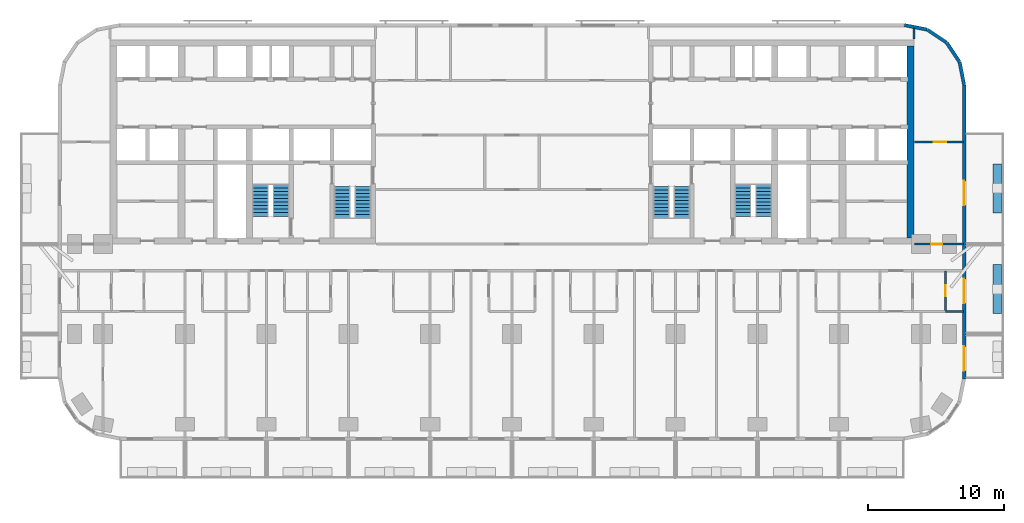
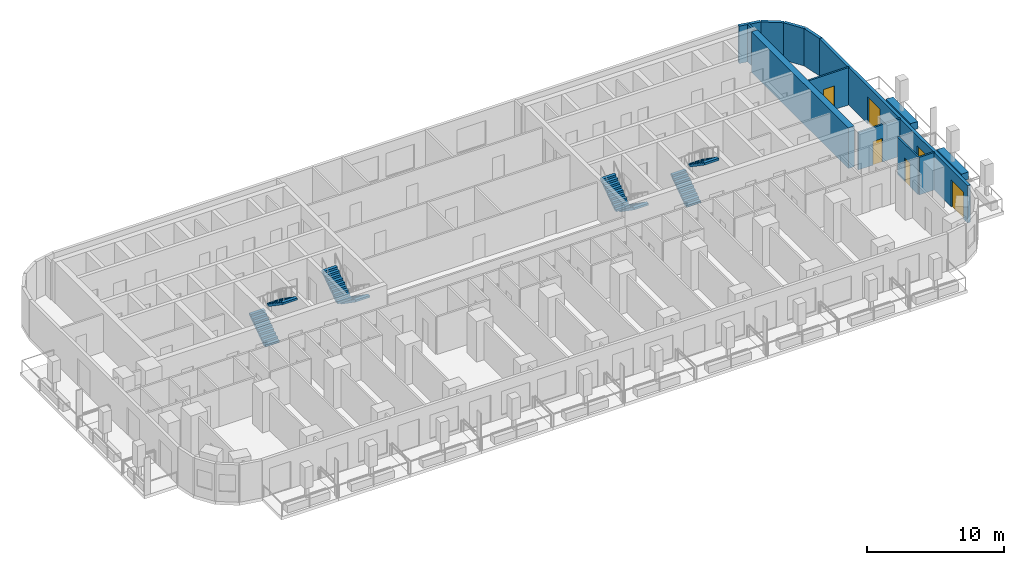
# One storey, part 10 of 15: 13 walls, 8 stair flights, 6 doors, 6 openings, 4 elements without a shape of their own.
"""IFC4 building model written with IfcOpenShell, lengths in metres."""

from ifc_helpers import new_model, si_unit, direction, frame, frame_2d, origin, place, context, subcontext, project, spatial, polyline, rectangle, outline, extrude, material, layer, layer_set, type_object, element, fill, aggregate, save


model = new_model("IFC4")

# Units and contexts
model_context = context("Model", 3, precision=1e-05, world=origin(), true_north=direction((0.0, 1.0)))
body_context = subcontext(model_context, "Body", "Model", "MODEL_VIEW")
ifc_project = project(units=[si_unit("LENGTHUNIT", "METRE"), si_unit("AREAUNIT", "SQUARE_METRE"), si_unit("VOLUMEUNIT", "CUBIC_METRE"), si_unit("PLANEANGLEUNIT", "RADIAN"), si_unit("MASSUNIT", "GRAM", prefix="KILO")], contexts=[model_context])

# Site, building, storey
site_placement = place(None, origin())
site = spatial("IfcSite", under=ifc_project, at=site_placement, CompositionType="ELEMENT")
building_placement = place(site_placement, origin())
building = spatial("IfcBuilding", under=site, at=building_placement, Name="Torana Hotel and Residences", CompositionType="ELEMENT")
storey_placement = place(building_placement, frame((0.0, 0.0, 24.0)))
storey = spatial("IfcBuildingStorey", under=building, at=storey_placement, Name="L04", CompositionType="ELEMENT", Elevation=24.0)

# Walls
ifc_material_1 = material(Name="Concrete C80/95", Category="concrete")
ifc_layer_1 = layer(ifc_material_1, 0.5)
ifc_layer_set_1 = layer_set([ifc_layer_1], Name="CORE WALL 500 C80/95")
wall_type_1 = type_object("IfcWallType", Name="CORE WALL 500 C80/95", PredefinedType="SHEAR", material=ifc_layer_set_1)
wall_1_placement = place(storey_placement, frame((29.25, -14.550048828125, 0.0), z_axis=(0.0, 0.0, 1.0), x_axis=(0.0, 1.0, 0.0)))
element("IfcWall", 1, at=wall_1_placement, inside=storey, type_object=wall_type_1, Name="Core wall E outer", PredefinedType="SHEAR", context=body_context, shape_type="SweptSolid", body=[
    extrude(rectangle(XDim=14.10009765625, YDim=0.5, at=frame_2d((7.050048828125, 0.0))), origin(), (0.0, 0.0, 1.0), 3.60009765625),
])
ifc_material_2 = material(Name="Black aluminium composite panel", Category="aluminium")
ifc_layer_2 = layer(ifc_material_2, 0.00390625, Name="Cladding", Category="cladding")
ifc_material_3 = material(Name="Ventilated air cavity")
ifc_layer_3 = layer(ifc_material_3, 0.0400390625, Name="Ventilated cavity", Category="cavity")
ifc_material_4 = material(Name="Mineral wool insulation")
ifc_layer_4 = layer(ifc_material_4, 0.090087890625, Name="Insulation", Category="insulation")
ifc_material_5 = material(Name="Steel S280GD", Category="steel")
ifc_layer_5 = layer(ifc_material_5, 0.092041015625, Name="Steel stud frame", Category="structure")
ifc_material_6 = material(Name="Fire rated plasterboard")
ifc_layer_6 = layer(ifc_material_6, 0.011962890625, Name="Inner board", Category="finish")
ifc_layer_7 = layer(ifc_material_6, 0.011962890625, Name="Second board", Category="finish")
ifc_layer_set_2 = layer_set([ifc_layer_2, ifc_layer_3, ifc_layer_4, ifc_layer_5, ifc_layer_6, ifc_layer_7], Name="EW1 EXTERNAL WALL BLACK METAL CLAD 250")
wall_type_2 = type_object("IfcWallType", Name="EW1 EXTERNAL WALL BLACK METAL CLAD 250", PredefinedType="SOLIDWALL", material=ifc_layer_set_2)
wall_2_placement = place(storey_placement, frame((33.172607421875, -3.30029296875, 0.0), z_axis=(0.0, 0.0, 1.0), x_axis=(-0.19513878023, 0.980775640221, 0.0)))
element("IfcWall", 2, at=wall_2_placement, inside=storey, type_object=wall_type_2, Name="External wall L04 e0.0", PredefinedType="SOLIDWALL", context=body_context, shape_type="SweptSolid", body=[
    extrude(rectangle(XDim=1.681396484375, YDim=0.25, at=frame_2d((0.8408203125, 0.0))), origin(), (0.0, 0.0, 1.0), 3.320068359375),
])
for number, where, z_axis, x_axis, name in (
    (3, (32.825927734375, -1.60595703125, 0.0), (0.0, 0.0, 1.0), (-0.55555029066, 0.831482937015, 0.0), "External wall L04 e0.1"),
    (4, (31.87109375, -0.1943359375, 0.0), (0.0, 0.0, 1.0), (-0.831482937015, 0.55555029066, 0.0), "External wall L04 e0.2"),
):
    element("IfcWall", number, at=place(storey_placement, frame(where, z_axis=z_axis, x_axis=x_axis)), inside=storey, type_object=wall_type_2, Name=name, PredefinedType="SOLIDWALL", context=body_context, shape_type="SweptSolid", body=[
        extrude(rectangle(XDim=1.65625, YDim=0.25, at=frame_2d((0.828125, 0.0))), origin(), (0.0, 0.0, 1.0), 3.320068359375),
    ])
wall_3_placement = place(storey_placement, frame((30.448974609375, 0.74462890625, 0.0), z_axis=(0.0, 0.0, 1.0), x_axis=(-0.980803419081, 0.194999110559, 0.0)))
element("IfcWall", 5, at=wall_3_placement, inside=storey, type_object=wall_type_2, Name="External wall L04 e0.3", PredefinedType="SOLIDWALL", context=body_context, shape_type="SweptSolid", body=[
    extrude(rectangle(XDim=1.681396484375, YDim=0.25, at=frame_2d((0.8408203125, 0.0))), origin(), (0.0, 0.0, 1.0), 3.320068359375),
])

# Wall, openings, doors
wall_4_placement = place(storey_placement, frame((33.175048828125, -24.87548828125, 0.0), z_axis=(0.0, 0.0, 1.0), x_axis=(0.0, 1.0, 0.0)))
wall_4 = element("IfcWall", 6, at=wall_4_placement, inside=storey, type_object=wall_type_2, Name="External wall L04 e0.19", PredefinedType="SOLIDWALL", context=body_context, shape_type="SweptSolid", body=[
    extrude(rectangle(XDim=21.55078125, YDim=0.25, at=frame_2d((10.775390625, 0.0))), origin(), (0.0, 0.0, 1.0), 3.320068359375),
])
opening_1_placement = place(wall_4_placement, frame((0.575439453125, 0.0, 0.0)))
opening_1 = element("IfcOpeningElement", 7, at=opening_1_placement, cuts=wall_4, Name="Opening L04-E11", PredefinedType="OPENING", context=body_context, shape_type="SweptSolid", body=[
    extrude(rectangle(XDim=1.800048828125, YDim=2.39990234375, at=frame_2d((0.89990234375, 1.199951171875))), frame((0.0, 0.135009765625, 0.0), z_axis=(0.0, -1.0, 0.0), x_axis=(1.0, 0.0, 0.0)), (0.0, 0.0, 1.0), 0.27001953125),
])
opening_2_placement = place(wall_4_placement, frame((5.525390625, 0.0, 0.0)))
opening_2 = element("IfcOpeningElement", 8, at=opening_2_placement, cuts=wall_4, Name="Opening L04-E12", PredefinedType="OPENING", context=body_context, shape_type="SweptSolid", body=[
    extrude(rectangle(XDim=1.800048828125, YDim=2.39990234375, at=frame_2d((0.89990234375, 1.199951171875))), frame((0.0, 0.135009765625, 0.0), z_axis=(0.0, -1.0, 0.0), x_axis=(1.0, 0.0, 0.0)), (0.0, 0.0, 1.0), 0.27001953125),
])
opening_3_placement = place(wall_4_placement, frame((12.725341796875, 0.0, 0.0)))
opening_3 = element("IfcOpeningElement", 9, at=opening_3_placement, cuts=wall_4, Name="Opening L04-E13", PredefinedType="OPENING", context=body_context, shape_type="SweptSolid", body=[
    extrude(rectangle(XDim=1.800048828125, YDim=2.39990234375, at=frame_2d((0.89990234375, 1.199951171875))), frame((0.0, 0.135009765625, 0.0), z_axis=(0.0, -1.0, 0.0), x_axis=(1.0, 0.0, 0.0)), (0.0, 0.0, 1.0), 0.27001953125),
])
ifc_material_7 = material(Name="Dark glass in black aluminium frame", Category="aluminium")
door_type_1 = type_object("IfcDoorType", Name="DB1 BALCONY DOOR 1800x2400", OperationType="DOUBLE_DOOR_SINGLE_SWING", PredefinedType="DOOR", material=ifc_material_7)
door_1_placement = place(opening_1_placement, origin())
door_1 = element("IfcDoor", 10, at=door_1_placement, inside=storey, type_object=door_type_1, Name="Balcony door L04", OperationType="DOUBLE_DOOR_SINGLE_SWING", OverallHeight=2.39990234375, OverallWidth=1.800048828125, PredefinedType="DOOR", context=body_context, shape_type="SweptSolid", body=[
    extrude(rectangle(XDim=1.800048828125, YDim=2.39990234375, at=frame_2d((0.89990234375, 1.199951171875))), frame((0.0, 0.02490234375, 0.0), z_axis=(0.0, -1.0, 0.0), x_axis=(1.0, 0.0, 0.0)), (0.0, 0.0, 1.0), 0.050048828125),
])
fill(opening_1, door_1)
door_2_placement = place(opening_2_placement, origin())
door_2 = element("IfcDoor", 11, at=door_2_placement, inside=storey, type_object=door_type_1, Name="Balcony door L04", OperationType="DOUBLE_DOOR_SINGLE_SWING", OverallHeight=2.39990234375, OverallWidth=1.800048828125, PredefinedType="DOOR", context=body_context, shape_type="SweptSolid", body=[
    extrude(rectangle(XDim=1.800048828125, YDim=2.39990234375, at=frame_2d((0.89990234375, 1.199951171875))), frame((0.0, 0.02490234375, 0.0), z_axis=(0.0, -1.0, 0.0), x_axis=(1.0, 0.0, 0.0)), (0.0, 0.0, 1.0), 0.050048828125),
])
fill(opening_2, door_2)
door_3_placement = place(opening_3_placement, origin())
door_3 = element("IfcDoor", 12, at=door_3_placement, inside=storey, type_object=door_type_1, Name="Balcony door L04", OperationType="DOUBLE_DOOR_SINGLE_SWING", OverallHeight=2.39990234375, OverallWidth=1.800048828125, PredefinedType="DOOR", context=body_context, shape_type="SweptSolid", body=[
    extrude(rectangle(XDim=1.800048828125, YDim=2.39990234375, at=frame_2d((0.89990234375, 1.199951171875))), frame((0.0, 0.02490234375, 0.0), z_axis=(0.0, -1.0, 0.0), x_axis=(1.0, 0.0, 0.0)), (0.0, 0.0, 1.0), 0.050048828125),
])
fill(opening_3, door_3)

# Wall, opening, door
ifc_material_8 = material(Name="Gypsum plaster")
ifc_layer_8 = layer(ifc_material_8, 0.014892578125, Name="Plaster", Category="finish")
ifc_material_9 = material(Name="Concrete blockwork", Category="masonry")
ifc_layer_9 = layer(ifc_material_9, 0.1201171875, Name="Blockwork", Category="structure")
ifc_layer_10 = layer(ifc_material_8, 0.014892578125, Name="Plaster", Category="finish")
ifc_layer_set_3 = layer_set([ifc_layer_8, ifc_layer_9, ifc_layer_10], Name="FIRE PARTITION 150 BLOCKWORK")
wall_type_3 = type_object("IfcWallType", Name="FIRE PARTITION 150 BLOCKWORK", PredefinedType="PARTITIONING", material=ifc_layer_set_3)
wall_5_placement = place(storey_placement, frame((29.550048828125, -15.0, 0.0), z_axis=(0.0, 0.0, 1.0), x_axis=(1.0, 0.0, 0.0)))
wall_5 = element("IfcWall", 13, at=wall_5_placement, inside=storey, type_object=wall_type_3, Name="Partition L04", PredefinedType="PARTITIONING", context=body_context, shape_type="SweptSolid", body=[
    extrude(rectangle(XDim=3.570068359375, YDim=0.14990234375, at=frame_2d((1.78515625, 0.0))), origin(), (0.0, 0.0, 1.0), 3.320068359375),
])
opening_4_placement = place(wall_5_placement, frame((1.205078125, 0.0, 0.0)))
opening_4 = element("IfcOpeningElement", 14, at=opening_4_placement, cuts=wall_5, Name="Opening L04-58", PredefinedType="OPENING", context=body_context, shape_type="SweptSolid", body=[
    extrude(rectangle(XDim=0.800048828125, YDim=2.10009765625, at=frame_2d((0.39990234375, 1.050048828125))), frame((0.0, 0.0849609375, 0.0), z_axis=(0.0, -1.0, 0.0), x_axis=(1.0, 0.0, 0.0)), (0.0, 0.0, 1.0), 0.169921875),
])
ifc_material_10 = material(Name="Steel S235", Category="steel")
door_type_2 = type_object("IfcDoorType", Name="STORE FIRE DOOR D16 800x2100", OperationType="SINGLE_SWING_LEFT", PredefinedType="DOOR", material=ifc_material_10)
door_4_placement = place(opening_4_placement, origin())
door_4 = element("IfcDoor", 15, at=door_4_placement, inside=storey, type_object=door_type_2, Name="Door L04", OperationType="SINGLE_SWING_RIGHT", OverallHeight=2.10009765625, OverallWidth=0.800048828125, PredefinedType="DOOR", context=body_context, shape_type="SweptSolid", body=[
    extrude(rectangle(XDim=0.800048828125, YDim=2.10009765625, at=frame_2d((0.39990234375, 1.050048828125))), frame((0.0, 0.02490234375, 0.0), z_axis=(0.0, -1.0, 0.0), x_axis=(1.0, 0.0, 0.0)), (0.0, 0.0, 1.0), 0.050048828125),
])
fill(opening_4, door_4)

# Walls
ifc_material_11 = material(Name="Gypsum plasterboard")
ifc_layer_11 = layer(ifc_material_11, 0.012451171875, Name="Plasterboard", Category="finish")
ifc_layer_12 = layer(ifc_material_11, 0.012451171875, Name="Plasterboard", Category="finish")
ifc_layer_13 = layer(ifc_material_5, 0.10009765625, Name="Steel studs with mineral wool", Category="insulation")
ifc_layer_14 = layer(ifc_material_11, 0.012451171875, Name="Plasterboard", Category="finish")
ifc_layer_15 = layer(ifc_material_11, 0.012451171875, Name="Plasterboard", Category="finish")
ifc_layer_set_4 = layer_set([ifc_layer_11, ifc_layer_12, ifc_layer_13, ifc_layer_14, ifc_layer_15], Name="PARTITION 150 PLASTERBOARD")
wall_type_4 = type_object("IfcWallType", Name="PARTITION 150 PLASTERBOARD", PredefinedType="PARTITIONING", material=ifc_layer_set_4)
wall_6_placement = place(storey_placement, frame((29.5, 0.050048828125, 0.0), z_axis=(0.0, 0.0, 1.0), x_axis=(0.0, 1.0, 0.0)))
element("IfcWall", 16, at=wall_6_placement, inside=storey, type_object=wall_type_4, Name="Partition L04", PredefinedType="PARTITIONING", context=body_context, shape_type="SweptSolid", body=[
    extrude(rectangle(XDim=0.8271484375, YDim=0.14990234375, at=frame_2d((0.41357421875, 0.0))), origin(), (0.0, 0.0, 1.0), 3.320068359375),
])
ifc_material_12 = material(Name="Concrete C40/50 precast", Category="concrete")
ifc_layer_16 = layer(ifc_material_12, 0.10009765625, Name="Planter shell", Category="structure")
ifc_material_13 = material(Name="Root resistant membrane")
ifc_layer_17 = layer(ifc_material_13, 0.00390625, Name="Waterproofing membrane", Category="membrane")
ifc_material_14 = material(Name="Drainage board with filter fleece")
ifc_layer_18 = layer(ifc_material_14, 0.02001953125, Name="Drainage board", Category="drainage")
ifc_material_15 = material(Name="Growing medium")
ifc_layer_19 = layer(ifc_material_15, 0.47607421875, Name="Planting substrate", Category="soil")
ifc_layer_set_5 = layer_set([ifc_layer_16, ifc_layer_17, ifc_layer_18, ifc_layer_19], Name="PL1 BALCONY PLANTER 600")
wall_type_5 = type_object("IfcWallType", Name="PL1 BALCONY PLANTER 600", PredefinedType="USERDEFINED", material=ifc_layer_set_5)
wall_7_placement = place(storey_placement, frame((35.60009765625, -16.5, 0.0), z_axis=(0.0, 0.0, 1.0), x_axis=(0.0, -1.0, 0.0)))
element("IfcWall", 17, at=wall_7_placement, inside=storey, type_object=wall_type_5, Name="Planter 15", ObjectType="PLANTER", PredefinedType="USERDEFINED", context=body_context, shape_type="SweptSolid", body=[
    extrude(rectangle(XDim=3.60009765625, YDim=0.60009765625, at=frame_2d((1.800048828125, 0.0))), origin(), (0.0, 0.0, 1.0), 0.64990234375),
])
wall_8_placement = place(storey_placement, frame((35.60009765625, -9.10009765625, 0.0), z_axis=(0.0, 0.0, 1.0), x_axis=(0.0, -1.0, 0.0)))
element("IfcWall", 18, at=wall_8_placement, inside=storey, type_object=wall_type_5, Name="Planter 16", ObjectType="PLANTER", PredefinedType="USERDEFINED", context=body_context, shape_type="SweptSolid", body=[
    extrude(rectangle(XDim=3.599853515625, YDim=0.60009765625, at=frame_2d((1.7998046875, 0.0))), origin(), (0.0, 0.0, 1.0), 0.64990234375),
])

# Wall, opening, door
ifc_material_16 = material(Name="Ceramic tile on adhesive")
ifc_layer_20 = layer(ifc_material_16, 0.010009765625, Name="Wall tile", Category="finish")
ifc_material_17 = material(Name="Cement render")
ifc_layer_21 = layer(ifc_material_17, 0.010009765625, Name="Render", Category="finish")
ifc_layer_22 = layer(ifc_material_9, 0.110107421875, Name="Blockwork", Category="structure")
ifc_layer_23 = layer(ifc_material_17, 0.010009765625, Name="Render", Category="finish")
ifc_layer_24 = layer(ifc_material_16, 0.010009765625, Name="Wall tile", Category="finish")
ifc_layer_set_6 = layer_set([ifc_layer_20, ifc_layer_21, ifc_layer_22, ifc_layer_23, ifc_layer_24], Name="WC PARTITION 150")
wall_type_6 = type_object("IfcWallType", Name="WC PARTITION 150", PredefinedType="PLUMBINGWALL", material=ifc_layer_set_6)
wall_9_placement = place(storey_placement, frame((31.800048828125, -19.949951171875, 0.0), z_axis=(0.0, 0.0, 1.0), x_axis=(0.0, 1.0, 0.0)))
wall_9 = element("IfcWall", 19, at=wall_9_placement, inside=storey, type_object=wall_type_6, Name="Partition L04", PredefinedType="PLUMBINGWALL", context=body_context, shape_type="SweptSolid", body=[
    extrude(rectangle(XDim=3.0, YDim=0.14990234375, at=frame_2d((1.5, 0.0))), origin(), (0.0, 0.0, 1.0), 3.320068359375),
])
opening_5_placement = place(wall_9_placement, frame((1.1201171875, 0.0, 0.0)))
opening_5 = element("IfcOpeningElement", 20, at=opening_5_placement, cuts=wall_9, Name="Opening L04-90", PredefinedType="OPENING", context=body_context, shape_type="SweptSolid", body=[
    extrude(rectangle(XDim=0.800048828125, YDim=2.10009765625, at=frame_2d((0.39990234375, 1.050048828125))), frame((0.0, 0.0849609375, 0.0), z_axis=(0.0, -1.0, 0.0), x_axis=(1.0, 0.0, 0.0)), (0.0, 0.0, 1.0), 0.169921875),
])
ifc_material_18 = material(Name="Timber door, painted", Category="wood")
door_type_3 = type_object("IfcDoorType", Name="BATH DOOR D13 800x2100", OperationType="SINGLE_SWING_LEFT", PredefinedType="DOOR", material=ifc_material_18)
door_5_placement = place(opening_5_placement, origin())
door_5 = element("IfcDoor", 21, at=door_5_placement, inside=storey, type_object=door_type_3, Name="Door L04", OperationType="SINGLE_SWING_RIGHT", OverallHeight=2.10009765625, OverallWidth=0.800048828125, PredefinedType="DOOR", context=body_context, shape_type="SweptSolid", body=[
    extrude(rectangle(XDim=0.800048828125, YDim=2.10009765625, at=frame_2d((0.39990234375, 1.050048828125))), frame((0.0, 0.02490234375, 0.0), z_axis=(0.0, -1.0, 0.0), x_axis=(1.0, 0.0, 0.0)), (0.0, 0.0, 1.0), 0.050048828125),
])
fill(opening_5, door_5)

# Wall
wall_10_placement = place(storey_placement, frame((31.800048828125, -19.949951171875, 0.0), z_axis=(0.0, 0.0, 1.0), x_axis=(1.0, 0.0, 0.0)))
element("IfcWall", 22, at=wall_10_placement, inside=storey, type_object=wall_type_6, Name="Partition L04", PredefinedType="PLUMBINGWALL", context=body_context, shape_type="SweptSolid", body=[
    extrude(rectangle(XDim=1.320068359375, YDim=0.14990234375, at=frame_2d((0.66015625, 0.0))), origin(), (0.0, 0.0, 1.0), 3.320068359375),
])

# Wall, opening, door
wall_11_placement = place(storey_placement, frame((29.550048828125, -7.5, 0.0), z_axis=(0.0, 0.0, 1.0), x_axis=(1.0, 0.0, 0.0)))
wall_11 = element("IfcWall", 23, at=wall_11_placement, inside=storey, type_object=wall_type_6, Name="Partition L04", PredefinedType="PLUMBINGWALL", context=body_context, shape_type="SweptSolid", body=[
    extrude(rectangle(XDim=3.570068359375, YDim=0.14990234375, at=frame_2d((1.78515625, 0.0))), origin(), (0.0, 0.0, 1.0), 3.320068359375),
])
opening_6_placement = place(wall_11_placement, frame((1.39990234375, 0.0, 0.0)))
opening_6 = element("IfcOpeningElement", 24, at=opening_6_placement, cuts=wall_11, Name="Opening L04-93", PredefinedType="OPENING", context=body_context, shape_type="SweptSolid", body=[
    extrude(rectangle(XDim=0.89990234375, YDim=2.10009765625, at=frame_2d((0.449951171875, 1.050048828125))), frame((0.0, 0.0849609375, 0.0), z_axis=(0.0, -1.0, 0.0), x_axis=(1.0, 0.0, 0.0)), (0.0, 0.0, 1.0), 0.169921875),
])
ifc_material_19 = material(Name="Timber door, oiled ash", Category="wood")
door_type_4 = type_object("IfcDoorType", Name="ROOM DOOR D7 900x2100", OperationType="SINGLE_SWING_LEFT", PredefinedType="DOOR", material=ifc_material_19)
door_6_placement = place(opening_6_placement, origin())
door_6 = element("IfcDoor", 25, at=door_6_placement, inside=storey, type_object=door_type_4, Name="Door L04", OperationType="SINGLE_SWING_LEFT", OverallHeight=2.10009765625, OverallWidth=0.89990234375, PredefinedType="DOOR", context=body_context, shape_type="SweptSolid", body=[
    extrude(rectangle(XDim=0.89990234375, YDim=2.10009765625, at=frame_2d((0.449951171875, 1.050048828125))), frame((0.0, 0.02490234375, 0.0), z_axis=(0.0, -1.0, 0.0), x_axis=(1.0, 0.0, 0.0)), (0.0, 0.0, 1.0), 0.050048828125),
])
fill(opening_6, door_6)

# Stair, stair flights
ifc_material_20 = material(Name="Concrete C40/50 precast", Category="concrete")
stair_type_1 = type_object("IfcStairType", Name="STAIR ST1 HALF TURN 1200", PredefinedType="HALF_TURN_STAIR", material=ifc_material_20)
stair_1_placement = place(storey_placement, origin())
stair_1 = element("IfcStair", 26, at=stair_1_placement, inside=storey, type_object=stair_type_1, Name="Stair ST1 L04", PredefinedType="HALF_TURN_STAIR")
ifc_material_21 = material(Name="Concrete C40/50 precast", Category="concrete")
stair_flight_type = type_object("IfcStairFlightType", Name="STAIR FLIGHT 1200 PRECAST", PredefinedType="STRAIGHT", material=ifc_material_21)
stair_flight_1_placement = place(storey_placement, frame((-10.949951171875, -10.75, 0.0), z_axis=(0.0, 0.0, 1.0), x_axis=(0.0, -1.0, 0.0)))
stair_flight_1 = element("IfcStairFlight", 27, at=stair_flight_1_placement, type_object=stair_flight_type, Name="ST1 flight 1", NumberOfRisers=10, NumberOfTreads=9, PredefinedType="STRAIGHT", RiserHeight=0.18, TreadLength=0.26, context=body_context, shape_type="SweptSolid", body=[
    extrude(outline(polyline([(0.0, 0.0), (0.0, 0.179931640625), (0.260009765625, 0.179931640625), (0.260009765625, 0.360107421875), (0.52001953125, 0.360107421875), (0.52001953125, 0.5400390625), (0.780029296875, 0.5400390625), (0.780029296875, 0.719970703125), (1.0400390625, 0.719970703125), (1.0400390625, 0.89990234375), (1.300048828125, 0.89990234375), (1.300048828125, 1.080078125), (1.56005859375, 1.080078125), (1.56005859375, 1.260009765625), (1.820068359375, 1.260009765625), (1.820068359375, 1.43994140625), (2.080078125, 1.43994140625), (2.080078125, 1.6201171875), (2.340087890625, 1.6201171875), (2.340087890625, 1.800048828125), (2.340087890625, 1.437744140625), (0.263427734375, 0.0), (0.0, 0.0)])), frame((0.0, 0.60009765625, 0.0), z_axis=(0.0, -1.0, 0.0), x_axis=(1.0, 0.0, 0.0)), (0.0, 0.0, 1.0), 1.199951171875),
])
stair_flight_2_placement = place(storey_placement, frame((-12.449951171875, -13.090087890625, 1.800048828125), z_axis=(0.0, 0.0, 1.0), x_axis=(0.0, 1.0, 0.0)))
stair_flight_2 = element("IfcStairFlight", 28, at=stair_flight_2_placement, type_object=stair_flight_type, Name="ST1 flight 2", NumberOfRisers=10, NumberOfTreads=9, PredefinedType="STRAIGHT", RiserHeight=0.18, TreadLength=0.26, context=body_context, shape_type="SweptSolid", body=[
    extrude(outline(polyline([(0.0, 0.0), (0.0, 0.179931640625), (0.260009765625, 0.179931640625), (0.260009765625, 0.360107421875), (0.52001953125, 0.360107421875), (0.52001953125, 0.5400390625), (0.780029296875, 0.5400390625), (0.780029296875, 0.719970703125), (1.0400390625, 0.719970703125), (1.0400390625, 0.89990234375), (1.300048828125, 0.89990234375), (1.300048828125, 1.080078125), (1.56005859375, 1.080078125), (1.56005859375, 1.260009765625), (1.820068359375, 1.260009765625), (1.820068359375, 1.43994140625), (2.080078125, 1.43994140625), (2.080078125, 1.6201171875), (2.340087890625, 1.6201171875), (2.340087890625, 1.800048828125), (2.340087890625, 1.437744140625), (0.263427734375, 0.0), (0.0, 0.0)])), frame((0.0, 0.60009765625, 0.0), z_axis=(0.0, -1.0, 0.0), x_axis=(1.0, 0.0, 0.0)), (0.0, 0.0, 1.0), 1.199951171875),
])
aggregate(stair_1, [stair_flight_1, stair_flight_2])

ifc_material_22 = material(Name="Concrete C40/50 precast", Category="concrete")
stair_type_2 = type_object("IfcStairType", Name="STAIR ST2 HALF TURN 1200", PredefinedType="HALF_TURN_STAIR", material=ifc_material_22)
stair_2_placement = place(storey_placement, origin())
stair_2 = element("IfcStair", 29, at=stair_2_placement, inside=storey, type_object=stair_type_2, Name="Stair ST2 L04", PredefinedType="HALF_TURN_STAIR")
stair_flight_3_placement = place(storey_placement, frame((-18.449951171875, -12.949951171875, 0.0), z_axis=(0.0, 0.0, 1.0), x_axis=(0.0, 1.0, 0.0)))
stair_flight_3 = element("IfcStairFlight", 30, at=stair_flight_3_placement, type_object=stair_flight_type, Name="ST2 flight 1", NumberOfRisers=10, NumberOfTreads=9, PredefinedType="STRAIGHT", RiserHeight=0.18, TreadLength=0.26, context=body_context, shape_type="SweptSolid", body=[
    extrude(outline(polyline([(0.0, 0.0), (0.0, 0.179931640625), (0.260009765625, 0.179931640625), (0.260009765625, 0.360107421875), (0.52001953125, 0.360107421875), (0.52001953125, 0.5400390625), (0.780029296875, 0.5400390625), (0.780029296875, 0.719970703125), (1.0400390625, 0.719970703125), (1.0400390625, 0.89990234375), (1.300048828125, 0.89990234375), (1.300048828125, 1.080078125), (1.56005859375, 1.080078125), (1.56005859375, 1.260009765625), (1.820068359375, 1.260009765625), (1.820068359375, 1.43994140625), (2.080078125, 1.43994140625), (2.080078125, 1.6201171875), (2.340087890625, 1.6201171875), (2.340087890625, 1.800048828125), (2.340087890625, 1.437744140625), (0.263427734375, 0.0), (0.0, 0.0)])), frame((0.0, 0.60009765625, 0.0), z_axis=(0.0, -1.0, 0.0), x_axis=(1.0, 0.0, 0.0)), (0.0, 0.0, 1.0), 1.199951171875),
])
stair_flight_4_placement = place(storey_placement, frame((-16.949951171875, -10.610107421875, 1.800048828125), z_axis=(0.0, 0.0, 1.0), x_axis=(0.0, -1.0, 0.0)))
stair_flight_4 = element("IfcStairFlight", 31, at=stair_flight_4_placement, type_object=stair_flight_type, Name="ST2 flight 2", NumberOfRisers=10, NumberOfTreads=9, PredefinedType="STRAIGHT", RiserHeight=0.18, TreadLength=0.26, context=body_context, shape_type="SweptSolid", body=[
    extrude(outline(polyline([(0.0, 0.0), (0.0, 0.179931640625), (0.260009765625, 0.179931640625), (0.260009765625, 0.360107421875), (0.52001953125, 0.360107421875), (0.52001953125, 0.5400390625), (0.780029296875, 0.5400390625), (0.780029296875, 0.719970703125), (1.0400390625, 0.719970703125), (1.0400390625, 0.89990234375), (1.300048828125, 0.89990234375), (1.300048828125, 1.080078125), (1.56005859375, 1.080078125), (1.56005859375, 1.260009765625), (1.820068359375, 1.260009765625), (1.820068359375, 1.43994140625), (2.080078125, 1.43994140625), (2.080078125, 1.6201171875), (2.340087890625, 1.6201171875), (2.340087890625, 1.800048828125), (2.340087890625, 1.437744140625), (0.263427734375, 0.0), (0.0, 0.0)])), frame((0.0, 0.60009765625, 0.0), z_axis=(0.0, -1.0, 0.0), x_axis=(1.0, 0.0, 0.0)), (0.0, 0.0, 1.0), 1.199951171875),
])
aggregate(stair_2, [stair_flight_3, stair_flight_4])

ifc_material_23 = material(Name="Concrete C40/50 precast", Category="concrete")
stair_type_3 = type_object("IfcStairType", Name="STAIR ST3 HALF TURN 1200", PredefinedType="HALF_TURN_STAIR", material=ifc_material_23)
stair_3_placement = place(storey_placement, origin())
stair_3 = element("IfcStair", 32, at=stair_3_placement, inside=storey, type_object=stair_type_3, Name="Stair ST3 L04", PredefinedType="HALF_TURN_STAIR")
stair_flight_5_placement = place(storey_placement, frame((12.449951171875, -10.75, 0.0), z_axis=(0.0, 0.0, 1.0), x_axis=(0.0, -1.0, 0.0)))
stair_flight_5 = element("IfcStairFlight", 33, at=stair_flight_5_placement, type_object=stair_flight_type, Name="ST3 flight 1", NumberOfRisers=10, NumberOfTreads=9, PredefinedType="STRAIGHT", RiserHeight=0.18, TreadLength=0.26, context=body_context, shape_type="SweptSolid", body=[
    extrude(outline(polyline([(0.0, 0.0), (0.0, 0.179931640625), (0.260009765625, 0.179931640625), (0.260009765625, 0.360107421875), (0.52001953125, 0.360107421875), (0.52001953125, 0.5400390625), (0.780029296875, 0.5400390625), (0.780029296875, 0.719970703125), (1.0400390625, 0.719970703125), (1.0400390625, 0.89990234375), (1.300048828125, 0.89990234375), (1.300048828125, 1.080078125), (1.56005859375, 1.080078125), (1.56005859375, 1.260009765625), (1.820068359375, 1.260009765625), (1.820068359375, 1.43994140625), (2.080078125, 1.43994140625), (2.080078125, 1.6201171875), (2.340087890625, 1.6201171875), (2.340087890625, 1.800048828125), (2.340087890625, 1.437744140625), (0.263427734375, 0.0), (0.0, 0.0)])), frame((0.0, 0.60009765625, 0.0), z_axis=(0.0, -1.0, 0.0), x_axis=(1.0, 0.0, 0.0)), (0.0, 0.0, 1.0), 1.199951171875),
])
stair_flight_6_placement = place(storey_placement, frame((10.949951171875, -13.090087890625, 1.800048828125), z_axis=(0.0, 0.0, 1.0), x_axis=(0.0, 1.0, 0.0)))
stair_flight_6 = element("IfcStairFlight", 34, at=stair_flight_6_placement, type_object=stair_flight_type, Name="ST3 flight 2", NumberOfRisers=10, NumberOfTreads=9, PredefinedType="STRAIGHT", RiserHeight=0.18, TreadLength=0.26, context=body_context, shape_type="SweptSolid", body=[
    extrude(outline(polyline([(0.0, 0.0), (0.0, 0.179931640625), (0.260009765625, 0.179931640625), (0.260009765625, 0.360107421875), (0.52001953125, 0.360107421875), (0.52001953125, 0.5400390625), (0.780029296875, 0.5400390625), (0.780029296875, 0.719970703125), (1.0400390625, 0.719970703125), (1.0400390625, 0.89990234375), (1.300048828125, 0.89990234375), (1.300048828125, 1.080078125), (1.56005859375, 1.080078125), (1.56005859375, 1.260009765625), (1.820068359375, 1.260009765625), (1.820068359375, 1.43994140625), (2.080078125, 1.43994140625), (2.080078125, 1.6201171875), (2.340087890625, 1.6201171875), (2.340087890625, 1.800048828125), (2.340087890625, 1.437744140625), (0.263427734375, 0.0), (0.0, 0.0)])), frame((0.0, 0.60009765625, 0.0), z_axis=(0.0, -1.0, 0.0), x_axis=(1.0, 0.0, 0.0)), (0.0, 0.0, 1.0), 1.199951171875),
])
aggregate(stair_3, [stair_flight_5, stair_flight_6])

ifc_material_24 = material(Name="Concrete C40/50 precast", Category="concrete")
stair_type_4 = type_object("IfcStairType", Name="STAIR ST4 HALF TURN 1200", PredefinedType="HALF_TURN_STAIR", material=ifc_material_24)
stair_4_placement = place(storey_placement, origin())
stair_4 = element("IfcStair", 35, at=stair_4_placement, inside=storey, type_object=stair_type_4, Name="Stair ST4 L04", PredefinedType="HALF_TURN_STAIR")
stair_flight_7_placement = place(storey_placement, frame((16.949951171875, -12.949951171875, 0.0), z_axis=(0.0, 0.0, 1.0), x_axis=(0.0, 1.0, 0.0)))
stair_flight_7 = element("IfcStairFlight", 36, at=stair_flight_7_placement, type_object=stair_flight_type, Name="ST4 flight 1", NumberOfRisers=10, NumberOfTreads=9, PredefinedType="STRAIGHT", RiserHeight=0.18, TreadLength=0.26, context=body_context, shape_type="SweptSolid", body=[
    extrude(outline(polyline([(0.0, 0.0), (0.0, 0.179931640625), (0.260009765625, 0.179931640625), (0.260009765625, 0.360107421875), (0.52001953125, 0.360107421875), (0.52001953125, 0.5400390625), (0.780029296875, 0.5400390625), (0.780029296875, 0.719970703125), (1.0400390625, 0.719970703125), (1.0400390625, 0.89990234375), (1.300048828125, 0.89990234375), (1.300048828125, 1.080078125), (1.56005859375, 1.080078125), (1.56005859375, 1.260009765625), (1.820068359375, 1.260009765625), (1.820068359375, 1.43994140625), (2.080078125, 1.43994140625), (2.080078125, 1.6201171875), (2.340087890625, 1.6201171875), (2.340087890625, 1.800048828125), (2.340087890625, 1.437744140625), (0.263427734375, 0.0), (0.0, 0.0)])), frame((0.0, 0.60009765625, 0.0), z_axis=(0.0, -1.0, 0.0), x_axis=(1.0, 0.0, 0.0)), (0.0, 0.0, 1.0), 1.199951171875),
])
stair_flight_8_placement = place(storey_placement, frame((18.449951171875, -10.610107421875, 1.800048828125), z_axis=(0.0, 0.0, 1.0), x_axis=(0.0, -1.0, 0.0)))
stair_flight_8 = element("IfcStairFlight", 37, at=stair_flight_8_placement, type_object=stair_flight_type, Name="ST4 flight 2", NumberOfRisers=10, NumberOfTreads=9, PredefinedType="STRAIGHT", RiserHeight=0.18, TreadLength=0.26, context=body_context, shape_type="SweptSolid", body=[
    extrude(outline(polyline([(0.0, 0.0), (0.0, 0.179931640625), (0.260009765625, 0.179931640625), (0.260009765625, 0.360107421875), (0.52001953125, 0.360107421875), (0.52001953125, 0.5400390625), (0.780029296875, 0.5400390625), (0.780029296875, 0.719970703125), (1.0400390625, 0.719970703125), (1.0400390625, 0.89990234375), (1.300048828125, 0.89990234375), (1.300048828125, 1.080078125), (1.56005859375, 1.080078125), (1.56005859375, 1.260009765625), (1.820068359375, 1.260009765625), (1.820068359375, 1.43994140625), (2.080078125, 1.43994140625), (2.080078125, 1.6201171875), (2.340087890625, 1.6201171875), (2.340087890625, 1.800048828125), (2.340087890625, 1.437744140625), (0.263427734375, 0.0), (0.0, 0.0)])), frame((0.0, 0.60009765625, 0.0), z_axis=(0.0, -1.0, 0.0), x_axis=(1.0, 0.0, 0.0)), (0.0, 0.0, 1.0), 1.199951171875),
])
aggregate(stair_4, [stair_flight_7, stair_flight_8])

save(model, "model.ifc")
